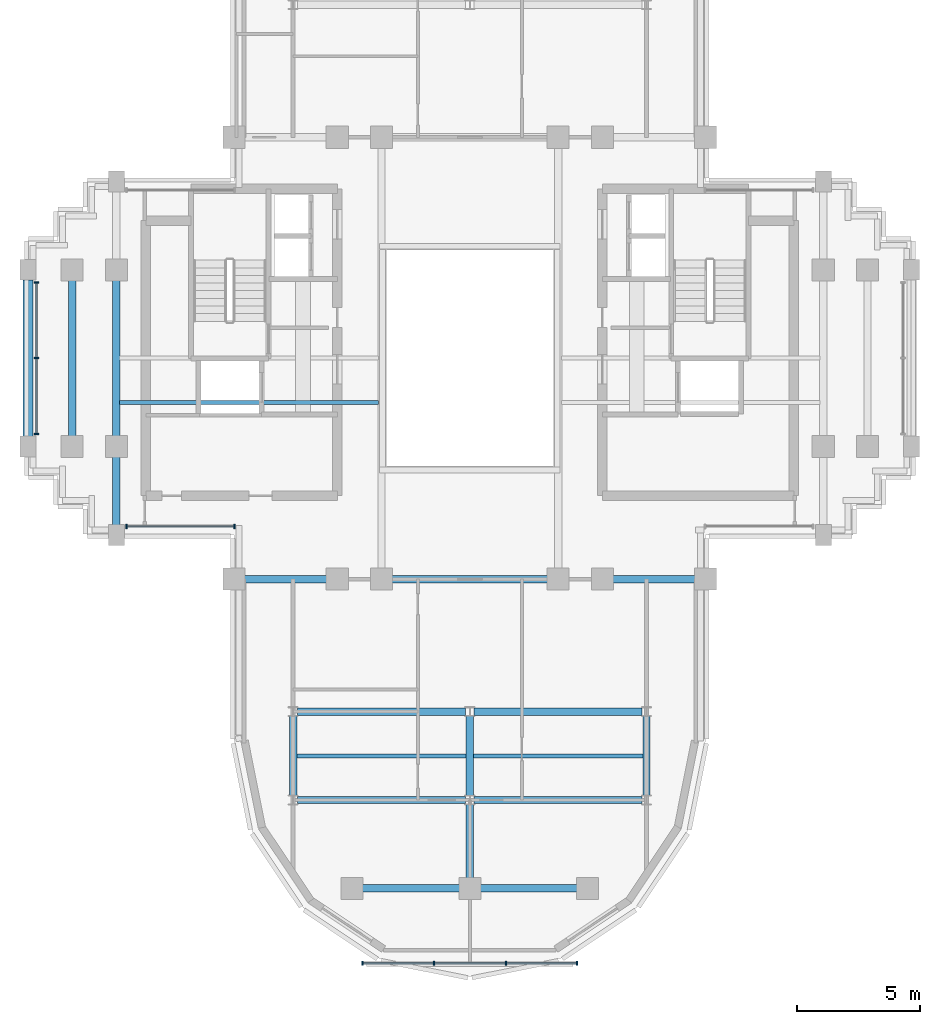
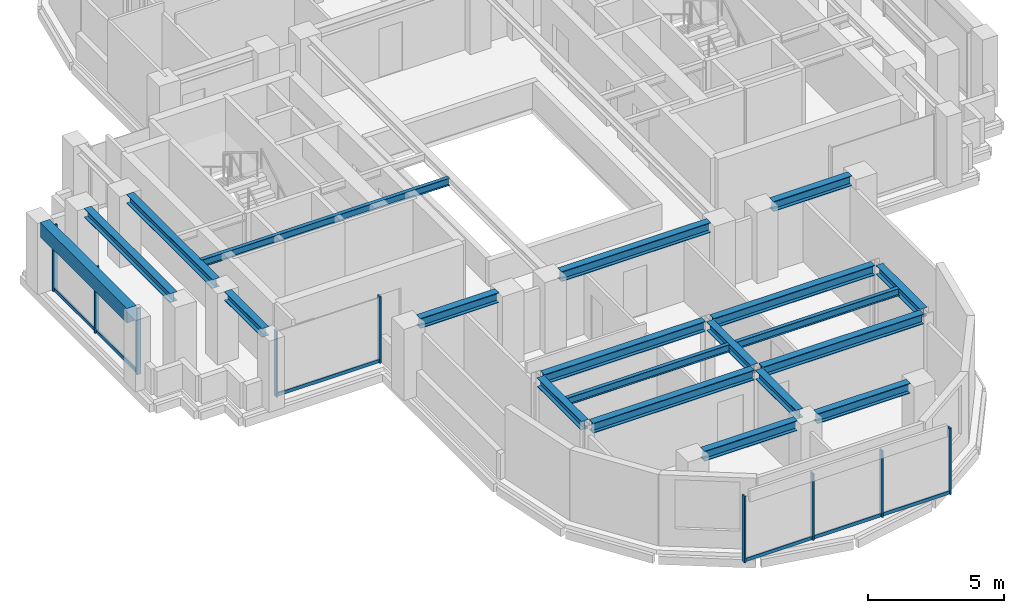
# One storey, part 2 of 11: 20 beams, 15 members, 3 elements without a shape of their own.
"""IFC4 building model written with IfcOpenShell, lengths in metres."""

from ifc_helpers import new_model, si_unit, direction, frame, origin, origin_2d, place, context, subcontext, project, spatial, rectangle, i_section, extrude, source, transform, mapped, material, material_profile, profile_set, type_object, element, aggregate, save


model = new_model("IFC4")

# Units and contexts
model_context = context("Model", 3, precision=1e-05, world=origin(), true_north=direction((0.0, 1.0)))
body_context = subcontext(model_context, "Body", "Model", "MODEL_VIEW")
ifc_project = project(units=[si_unit("LENGTHUNIT", "METRE"), si_unit("AREAUNIT", "SQUARE_METRE"), si_unit("VOLUMEUNIT", "CUBIC_METRE"), si_unit("PLANEANGLEUNIT", "RADIAN"), si_unit("MASSUNIT", "GRAM", prefix="KILO")], contexts=[model_context])

# Site, building, storey
site_placement = place(None, origin())
site = spatial("IfcSite", under=ifc_project, at=site_placement, CompositionType="ELEMENT")
building_placement = place(site_placement, origin())
building = spatial("IfcBuilding", under=site, at=building_placement, Name="Keilestroom Media Tower", CompositionType="ELEMENT")
storey_placement = place(building_placement, frame((0.0, 0.0, 208.0)))
storey = spatial("IfcBuildingStorey", under=building, at=storey_placement, Name="L57", CompositionType="ELEMENT", Elevation=208.0)

# Beams
ifc_material_1 = material(Name="Steel S355", Category="steel")
ifc_material_profile_1 = material_profile(ifc_material_1, i_section(OverallWidth=0.300048828125, OverallDepth=0.449951171875, WebThickness=0.011962890625, FlangeThickness=0.02587890625, at=origin_2d()), Name="HEB 450")
ifc_profile_set_1 = profile_set([ifc_material_profile_1], Name="Steel S355")
beam_type_1 = type_object("IfcBeamType", Name="Primary-Structural-Girder-HEB-450", PredefinedType="BEAM", material=ifc_profile_set_1)
shared_shape_1 = source(origin(), body_context, "Body", "SweptSolid", [
    extrude(i_section(OverallWidth=0.300048828125, OverallDepth=0.449951171875, WebThickness=0.011962890625, FlangeThickness=0.02587890625, at=origin_2d()), origin(), (0.0, 0.0, 1.0), 3.940185546875),
])
for number, where, z_axis, x_axis, name in (
    (1, (-4.3701171875, -21.60009765625, 2.97509765625), (1.0, 0.0, 0.0), (0.0, 1.0, 0.0), "L57 Beam BG-7 BM-L57-EW-001"),
    (2, (0.429931640625, -21.60009765625, 2.97509765625), (1.0, 0.0, 0.0), (0.0, 1.0, 0.0), "L57 Beam BG-7 BM-L57-EW-002"),
):
    element("IfcBeam", number, at=place(storey_placement, frame(where, z_axis=z_axis, x_axis=x_axis)), inside=storey, type_object=beam_type_1, Name=name, PredefinedType="BEAM", context=body_context, shape_type="MappedRepresentation", body=[
        mapped(shared_shape_1, transform((0.0, 0.0, 0.0), x_axis=(1.0, 0.0, 0.0), y_axis=(0.0, 1.0, 0.0), z_axis=(0.0, 0.0, 1.0), scale=1.0)),
    ])
shared_shape_2 = source(origin(), body_context, "Body", "SweptSolid", [
    extrude(i_section(OverallWidth=0.300048828125, OverallDepth=0.449951171875, WebThickness=0.011962890625, FlangeThickness=0.02587890625, at=origin_2d()), origin(), (0.0, 0.0, 1.0), 6.842041015625),
])
for number, where, z_axis, x_axis, name in (
    (3, (-7.02099609375, -18.0, 2.97509765625), (1.0, 0.0, 0.0), (0.0, 1.0, 0.0), "L57 Beam BG-7 BM-L57-EW-003"),
    (4, (0.178955078125, -18.0, 2.97509765625), (1.0, 0.0, 0.0), (0.0, 1.0, 0.0), "L57 Beam BG-7 BM-L57-EW-004"),
    (5, (-7.02099609375, -14.39990234375, 2.97509765625), (1.0, 0.0, 0.0), (0.0, 1.0, 0.0), "L57 Beam BG-7 BM-L57-EW-005"),
    (6, (0.178955078125, -14.39990234375, 2.97509765625), (1.0, 0.0, 0.0), (0.0, 1.0, 0.0), "L57 Beam BG-7 BM-L57-EW-006"),
):
    element("IfcBeam", number, at=place(storey_placement, frame(where, z_axis=z_axis, x_axis=x_axis)), inside=storey, type_object=beam_type_1, Name=name, PredefinedType="BEAM", context=body_context, shape_type="MappedRepresentation", body=[
        mapped(shared_shape_2, transform((0.0, 0.0, 0.0), x_axis=(1.0, 0.0, 0.0), y_axis=(0.0, 1.0, 0.0), z_axis=(0.0, 0.0, 1.0), scale=1.0)),
    ])
shared_shape_3 = source(origin(), body_context, "Body", "SweptSolid", [
    extrude(i_section(OverallWidth=0.300048828125, OverallDepth=0.449951171875, WebThickness=0.011962890625, FlangeThickness=0.02587890625, at=origin_2d()), origin(), (0.0, 0.0, 1.0), 3.33984375),
])
for number, where, z_axis, x_axis, name in (
    (7, (-9.169921875, -9.0, 2.97509765625), (1.0, 0.0, 0.0), (0.0, 1.0, 0.0), "L57 Beam BG-7 BM-L57-EW-007"),
    (8, (5.830078125, -9.0, 2.97509765625), (1.0, 0.0, 0.0), (0.0, 1.0, 0.0), "L57 Beam BG-7 BM-L57-EW-011"),
):
    element("IfcBeam", number, at=place(storey_placement, frame(where, z_axis=z_axis, x_axis=x_axis)), inside=storey, type_object=beam_type_1, Name=name, PredefinedType="BEAM", context=body_context, shape_type="MappedRepresentation", body=[
        mapped(shared_shape_3, transform((0.0, 0.0, 0.0), x_axis=(1.0, 0.0, 0.0), y_axis=(0.0, 1.0, 0.0), z_axis=(0.0, 0.0, 1.0), scale=1.0)),
    ])
shared_shape_4 = source(origin(), body_context, "Body", "SweptSolid", [
    extrude(i_section(OverallWidth=0.300048828125, OverallDepth=0.449951171875, WebThickness=0.011962890625, FlangeThickness=0.02587890625, at=origin_2d()), origin(), (0.0, 0.0, 1.0), 6.33984375),
])
beam_1_placement = place(storey_placement, frame((-3.169921875, -9.0, 2.97509765625), z_axis=(1.0, 0.0, 0.0), x_axis=(0.0, 1.0, 0.0)))
element("IfcBeam", 9, at=beam_1_placement, inside=storey, type_object=beam_type_1, Name="L57 Beam BG-7 BM-L57-EW-009", PredefinedType="BEAM", context=body_context, shape_type="MappedRepresentation", body=[
    mapped(shared_shape_4, transform((0.0, 0.0, 0.0), x_axis=(1.0, 0.0, 0.0), y_axis=(0.0, 1.0, 0.0), z_axis=(0.0, 0.0, 1.0), scale=1.0)),
])
ifc_material_2 = material(Name="Precast concrete C40/50", Category="concrete")
ifc_material_profile_2 = material_profile(ifc_material_2, rectangle(XDim=0.39990234375, YDim=0.64990234375, at=origin_2d()), Name="PC 400x650")
ifc_profile_set_2 = profile_set([ifc_material_profile_2], Name="Precast concrete C40/50")
beam_type_2 = type_object("IfcBeamType", Name="Perimeter-Spandrel-Beam-PC-400x650", PredefinedType="SPANDREL", material=ifc_profile_set_2)
shared_shape_5 = source(origin(), body_context, "Body", "SweptSolid", [
    extrude(rectangle(XDim=0.39990234375, YDim=0.64990234375, at=origin_2d()), origin(), (0.0, 0.0, 1.0), 6.39013671875),
])
beam_2_placement = place(storey_placement, frame((-18.0, -3.195068359375, 2.875), z_axis=(0.0, 1.0, 0.0), x_axis=(-1.0, 0.0, 0.0)))
element("IfcBeam", 10, at=beam_2_placement, inside=storey, type_object=beam_type_2, Name="L57 Beam SPB-2 BM-L57-NS-031", PredefinedType="SPANDREL", context=body_context, shape_type="MappedRepresentation", body=[
    mapped(shared_shape_5, transform((0.0, 0.0, 0.0), x_axis=(1.0, 0.0, 0.0), y_axis=(0.0, 1.0, 0.0), z_axis=(0.0, 0.0, 1.0), scale=1.0)),
])
ifc_material_profile_3 = material_profile(ifc_material_1, i_section(OverallWidth=0.300048828125, OverallDepth=0.39990234375, WebThickness=0.011474609375, FlangeThickness=0.02392578125, at=origin_2d()), Name="HEB 400")
ifc_profile_set_3 = profile_set([ifc_material_profile_3], Name="Steel S355")
beam_type_3 = type_object("IfcBeamType", Name="Primary-Structural-Girder-HEB-400", PredefinedType="BEAM", material=ifc_profile_set_3)
shared_shape_6 = source(origin(), body_context, "Body", "SweptSolid", [
    extrude(i_section(OverallWidth=0.300048828125, OverallDepth=0.39990234375, WebThickness=0.011474609375, FlangeThickness=0.02392578125, at=origin_2d()), origin(), (0.0, 0.0, 1.0), 6.33984375),
])
for number, where, z_axis, x_axis, name in (
    (11, (-16.199951171875, -3.169921875, 3.0), (0.0, 1.0, 0.0), (-1.0, 0.0, 0.0), "L57 Beam BG-8 BM-L57-NS-032"),
    (12, (-14.39990234375, -3.169921875, 3.0), (0.0, 1.0, 0.0), (-1.0, 0.0, 0.0), "L57 Beam BG-8 BM-L57-NS-034"),
):
    element("IfcBeam", number, at=place(storey_placement, frame(where, z_axis=z_axis, x_axis=x_axis)), inside=storey, type_object=beam_type_3, Name=name, PredefinedType="BEAM", context=body_context, shape_type="MappedRepresentation", body=[
        mapped(shared_shape_6, transform((0.0, 0.0, 0.0), x_axis=(1.0, 0.0, 0.0), y_axis=(0.0, 1.0, 0.0), z_axis=(0.0, 0.0, 1.0), scale=1.0)),
    ])
shared_shape_7 = source(origin(), body_context, "Body", "SweptSolid", [
    extrude(i_section(OverallWidth=0.300048828125, OverallDepth=0.39990234375, WebThickness=0.011474609375, FlangeThickness=0.02392578125, at=origin_2d()), origin(), (0.0, 0.0, 1.0), 2.764892578125),
])
beam_3_placement = place(storey_placement, frame((-14.39990234375, -6.794921875, 3.0), z_axis=(0.0, 1.0, 0.0), x_axis=(-1.0, 0.0, 0.0)))
element("IfcBeam", 13, at=beam_3_placement, inside=storey, type_object=beam_type_3, Name="L57 Beam BG-8 BM-L57-NS-033", PredefinedType="BEAM", context=body_context, shape_type="MappedRepresentation", body=[
    mapped(shared_shape_7, transform((0.0, 0.0, 0.0), x_axis=(1.0, 0.0, 0.0), y_axis=(0.0, 1.0, 0.0), z_axis=(0.0, 0.0, 1.0), scale=1.0)),
])
shared_shape_8 = source(origin(), body_context, "Body", "SweptSolid", [
    extrude(i_section(OverallWidth=0.300048828125, OverallDepth=0.39990234375, WebThickness=0.011474609375, FlangeThickness=0.02392578125, at=origin_2d()), origin(), (0.0, 0.0, 1.0), 3.2529296875),
])
for number, where, z_axis, x_axis, name in (
    (14, (-7.199951171875, -17.826416015625, 3.0), (0.0, 1.0, 0.0), (-1.0, 0.0, 0.0), "L57 Beam BG-8 BM-L57-NS-037"),
    (15, (0.0, -17.826416015625, 3.0), (0.0, 1.0, 0.0), (-1.0, 0.0, 0.0), "L57 Beam BG-8 BM-L57-NS-042"),
    (16, (7.199951171875, -17.826416015625, 3.0), (0.0, 1.0, 0.0), (-1.0, 0.0, 0.0), "L57 Beam BG-8 BM-L57-NS-047"),
):
    element("IfcBeam", number, at=place(storey_placement, frame(where, z_axis=z_axis, x_axis=x_axis)), inside=storey, type_object=beam_type_3, Name=name, PredefinedType="BEAM", context=body_context, shape_type="MappedRepresentation", body=[
        mapped(shared_shape_8, transform((0.0, 0.0, 0.0), x_axis=(1.0, 0.0, 0.0), y_axis=(0.0, 1.0, 0.0), z_axis=(0.0, 0.0, 1.0), scale=1.0)),
    ])
shared_shape_9 = source(origin(), body_context, "Body", "SweptSolid", [
    extrude(i_section(OverallWidth=0.300048828125, OverallDepth=0.39990234375, WebThickness=0.011474609375, FlangeThickness=0.02392578125, at=origin_2d()), origin(), (0.0, 0.0, 1.0), 2.996337890625),
])
beam_4_placement = place(storey_placement, frame((0.0, -21.169921875, 3.0), z_axis=(0.0, 1.0, 0.0), x_axis=(-1.0, 0.0, 0.0)))
element("IfcBeam", 17, at=beam_4_placement, inside=storey, type_object=beam_type_3, Name="L57 Beam BG-8 BM-L57-NS-041", PredefinedType="BEAM", context=body_context, shape_type="MappedRepresentation", body=[
    mapped(shared_shape_9, transform((0.0, 0.0, 0.0), x_axis=(1.0, 0.0, 0.0), y_axis=(0.0, 1.0, 0.0), z_axis=(0.0, 0.0, 1.0), scale=1.0)),
])
ifc_material_profile_4 = material_profile(ifc_material_1, i_section(OverallWidth=0.159912109375, OverallDepth=0.330078125, WebThickness=0.007568359375, FlangeThickness=0.011474609375, at=origin_2d()), Name="IPE 330")
ifc_profile_set_4 = profile_set([ifc_material_profile_4], Name="Steel S355")
beam_type_4 = type_object("IfcBeamType", Name="Secondary-Floor-Joist-IPE-330", PredefinedType="JOIST", material=ifc_profile_set_4)
shared_shape_10 = source(origin(), body_context, "Body", "SweptSolid", [
    extrude(i_section(OverallWidth=0.159912109375, OverallDepth=0.330078125, WebThickness=0.007568359375, FlangeThickness=0.011474609375, at=origin_2d()), origin(), (0.0, 0.0, 1.0), 6.940185546875),
])
for number, where, z_axis, x_axis, name in (
    (18, (-7.070068359375, -16.199951171875, 3.034912109375), (1.0, 0.0, 0.0), (0.0, 1.0, 0.0), "L57 Beam BJ-6 JST-L57-055"),
    (19, (0.1298828125, -16.199951171875, 3.034912109375), (1.0, 0.0, 0.0), (0.0, 1.0, 0.0), "L57 Beam BJ-6 JST-L57-056"),
):
    element("IfcBeam", number, at=place(storey_placement, frame(where, z_axis=z_axis, x_axis=x_axis)), inside=storey, type_object=beam_type_4, Name=name, PredefinedType="JOIST", context=body_context, shape_type="MappedRepresentation", body=[
        mapped(shared_shape_10, transform((0.0, 0.0, 0.0), x_axis=(1.0, 0.0, 0.0), y_axis=(0.0, 1.0, 0.0), z_axis=(0.0, 0.0, 1.0), scale=1.0)),
    ])
shared_shape_11 = source(origin(), body_context, "Body", "SweptSolid", [
    extrude(i_section(OverallWidth=0.159912109375, OverallDepth=0.330078125, WebThickness=0.007568359375, FlangeThickness=0.011474609375, at=origin_2d()), origin(), (0.0, 0.0, 1.0), 10.5400390625),
])
beam_5_placement = place(storey_placement, frame((-14.27001953125, -1.800048828125, 3.034912109375), z_axis=(1.0, 0.0, 0.0), x_axis=(0.0, 1.0, 0.0)))
element("IfcBeam", 20, at=beam_5_placement, inside=storey, type_object=beam_type_4, Name="L57 Beam BJ-6 JST-L57-057", PredefinedType="JOIST", context=body_context, shape_type="MappedRepresentation", body=[
    mapped(shared_shape_11, transform((0.0, 0.0, 0.0), x_axis=(1.0, 0.0, 0.0), y_axis=(0.0, 1.0, 0.0), z_axis=(0.0, 0.0, 1.0), scale=1.0)),
])

# Curtain wall, members
ifc_material_3 = material(Name="Anodised Aluminium Alloy", Category="aluminium")
curtain_wall_type_1 = type_object("IfcCurtainWallType", Name="Unitised-Curtain-Wall-CW-6", PredefinedType="NOTDEFINED", material=ifc_material_3)
curtain_wall_1_placement = place(storey_placement, origin())
curtain_wall_1 = element("IfcCurtainWall", 21, at=curtain_wall_1_placement, inside=storey, type_object=curtain_wall_type_1, Name="L57 Curtain Wall CW-6 CW-L57-LS-1", PredefinedType="NOTDEFINED")
ifc_material_profile_5 = material_profile(ifc_material_3, rectangle(XDim=0.06494140625, YDim=0.179931640625, at=origin_2d()), Name="ALU MULLION 65x180")
ifc_profile_set_5 = profile_set([ifc_material_profile_5], Name="Anodised Aluminium Alloy")
member_type_1 = type_object("IfcMemberType", Name="Curtain-Wall-Mullion-CW-6", PredefinedType="MULLION", material=ifc_profile_set_5)
shared_shape_12 = source(origin(), body_context, "Body", "SweptSolid", [
    extrude(rectangle(XDim=0.06494140625, YDim=0.179931640625, at=origin_2d()), origin(), (0.0, 0.0, 1.0), 2.97998046875),
])
member_1_placement = place(storey_placement, frame((-4.367431640625, -24.64990234375, 0.0), z_axis=(0.0, 0.0, 1.0), x_axis=(1.0, 0.0, 0.0)))
member_1 = element("IfcMember", 22, at=member_1_placement, type_object=member_type_1, Name="CW-6 Mullion 00", PredefinedType="MULLION", context=body_context, shape_type="MappedRepresentation", body=[
    mapped(shared_shape_12, transform((0.0, 0.0, 0.0), x_axis=(1.0, 0.0, 0.0), y_axis=(0.0, 1.0, 0.0), z_axis=(0.0, 0.0, 1.0), scale=1.0)),
])
member_2_placement = place(storey_placement, frame((-1.466796875, -24.64990234375, 0.0), z_axis=(0.0, 0.0, 1.0), x_axis=(1.0, 0.0, 0.0)))
member_2 = element("IfcMember", 23, at=member_2_placement, type_object=member_type_1, Name="CW-6 Mullion 01", PredefinedType="MULLION", context=body_context, shape_type="MappedRepresentation", body=[
    mapped(shared_shape_12, transform((0.0, 0.0, 0.0), x_axis=(1.0, 0.0, 0.0), y_axis=(0.0, 1.0, 0.0), z_axis=(0.0, 0.0, 1.0), scale=1.0)),
])
member_3_placement = place(storey_placement, frame((1.466796875, -24.64990234375, 0.0), z_axis=(0.0, 0.0, 1.0), x_axis=(1.0, 0.0, 0.0)))
member_3 = element("IfcMember", 24, at=member_3_placement, type_object=member_type_1, Name="CW-6 Mullion 02", PredefinedType="MULLION", context=body_context, shape_type="MappedRepresentation", body=[
    mapped(shared_shape_12, transform((0.0, 0.0, 0.0), x_axis=(1.0, 0.0, 0.0), y_axis=(0.0, 1.0, 0.0), z_axis=(0.0, 0.0, 1.0), scale=1.0)),
])
member_4_placement = place(storey_placement, frame((4.367431640625, -24.64990234375, 0.0), z_axis=(0.0, 0.0, 1.0), x_axis=(1.0, 0.0, 0.0)))
member_4 = element("IfcMember", 25, at=member_4_placement, type_object=member_type_1, Name="CW-6 Mullion 03", PredefinedType="MULLION", context=body_context, shape_type="MappedRepresentation", body=[
    mapped(shared_shape_12, transform((0.0, 0.0, 0.0), x_axis=(1.0, 0.0, 0.0), y_axis=(0.0, 1.0, 0.0), z_axis=(0.0, 0.0, 1.0), scale=1.0)),
])
ifc_material_profile_6 = material_profile(ifc_material_3, rectangle(XDim=0.06494140625, YDim=0.14990234375, at=origin_2d()), Name="ALU TRANSOM 65x150")
ifc_profile_set_6 = profile_set([ifc_material_profile_6], Name="Anodised Aluminium Alloy")
member_type_2 = type_object("IfcMemberType", Name="Curtain-Wall-Transom-CW-6", PredefinedType="USERDEFINED", material=ifc_profile_set_6)
shared_shape_13 = source(origin(), body_context, "Body", "SweptSolid", [
    extrude(rectangle(XDim=0.06494140625, YDim=0.14990234375, at=origin_2d()), origin(), (0.0, 0.0, 1.0), 2.839599609375),
])
member_5_placement = place(storey_placement, frame((-4.3369140625, -24.64990234375, 0.074951171875), z_axis=(1.0, 0.0, 0.0), x_axis=(0.0, 1.0, 0.0)))
member_5 = element("IfcMember", 26, at=member_5_placement, type_object=member_type_2, Name="CW-6 Transom 00.1", ObjectType="TRANSOM", PredefinedType="USERDEFINED", context=body_context, shape_type="MappedRepresentation", body=[
    mapped(shared_shape_13, transform((0.0, 0.0, 0.0), x_axis=(1.0, 0.0, 0.0), y_axis=(0.0, 1.0, 0.0), z_axis=(0.0, 0.0, 1.0), scale=1.0)),
])
member_6_placement = place(storey_placement, frame((1.497314453125, -24.64990234375, 0.074951171875), z_axis=(1.0, 0.0, 0.0), x_axis=(0.0, 1.0, 0.0)))
member_6 = element("IfcMember", 27, at=member_6_placement, type_object=member_type_2, Name="CW-6 Transom 02.1", ObjectType="TRANSOM", PredefinedType="USERDEFINED", context=body_context, shape_type="MappedRepresentation", body=[
    mapped(shared_shape_13, transform((0.0, 0.0, 0.0), x_axis=(1.0, 0.0, 0.0), y_axis=(0.0, 1.0, 0.0), z_axis=(0.0, 0.0, 1.0), scale=1.0)),
])
shared_shape_14 = source(origin(), body_context, "Body", "SweptSolid", [
    extrude(rectangle(XDim=0.06494140625, YDim=0.14990234375, at=origin_2d()), origin(), (0.0, 0.0, 1.0), 2.87255859375),
])
member_7_placement = place(storey_placement, frame((-1.436279296875, -24.64990234375, 0.074951171875), z_axis=(1.0, 0.0, 0.0), x_axis=(0.0, 1.0, 0.0)))
member_7 = element("IfcMember", 28, at=member_7_placement, type_object=member_type_2, Name="CW-6 Transom 01.1", ObjectType="TRANSOM", PredefinedType="USERDEFINED", context=body_context, shape_type="MappedRepresentation", body=[
    mapped(shared_shape_14, transform((0.0, 0.0, 0.0), x_axis=(1.0, 0.0, 0.0), y_axis=(0.0, 1.0, 0.0), z_axis=(0.0, 0.0, 1.0), scale=1.0)),
])
aggregate(curtain_wall_1, [member_1, member_2, member_3, member_4, member_5, member_7, member_6])

curtain_wall_type_2 = type_object("IfcCurtainWallType", Name="Unitised-Curtain-Wall-CW-3", PredefinedType="NOTDEFINED", material=ifc_material_3)
curtain_wall_2_placement = place(storey_placement, origin())
curtain_wall_2 = element("IfcCurtainWall", 29, at=curtain_wall_2_placement, inside=storey, type_object=curtain_wall_type_2, Name="L57 Curtain Wall CW-3 CW-L57-W-1", PredefinedType="NOTDEFINED")
ifc_material_profile_7 = material_profile(ifc_material_3, rectangle(XDim=0.06494140625, YDim=0.179931640625, at=origin_2d()), Name="ALU MULLION 65x180")
ifc_profile_set_7 = profile_set([ifc_material_profile_7], Name="Anodised Aluminium Alloy")
member_type_3 = type_object("IfcMemberType", Name="Curtain-Wall-Mullion-CW-3", PredefinedType="MULLION", material=ifc_profile_set_7)
shared_shape_15 = source(origin(), body_context, "Body", "SweptSolid", [
    extrude(rectangle(XDim=0.06494140625, YDim=0.179931640625, at=origin_2d()), origin(), (0.0, 0.0, 1.0), 2.97998046875),
])
member_8_placement = place(storey_placement, frame((-17.64990234375, -3.08251953125, 0.0), z_axis=(0.0, 0.0, 1.0), x_axis=(0.0, 1.0, 0.0)))
member_8 = element("IfcMember", 30, at=member_8_placement, type_object=member_type_3, Name="CW-3 Mullion 00", PredefinedType="MULLION", context=body_context, shape_type="MappedRepresentation", body=[
    mapped(shared_shape_15, transform((0.0, 0.0, 0.0), x_axis=(1.0, 0.0, 0.0), y_axis=(0.0, 1.0, 0.0), z_axis=(0.0, 0.0, 1.0), scale=1.0)),
])
member_9_placement = place(storey_placement, frame((-17.64990234375, 0.0, 0.0), z_axis=(0.0, 0.0, 1.0), x_axis=(0.0, 1.0, 0.0)))
member_9 = element("IfcMember", 31, at=member_9_placement, type_object=member_type_3, Name="CW-3 Mullion 01", PredefinedType="MULLION", context=body_context, shape_type="MappedRepresentation", body=[
    mapped(shared_shape_15, transform((0.0, 0.0, 0.0), x_axis=(1.0, 0.0, 0.0), y_axis=(0.0, 1.0, 0.0), z_axis=(0.0, 0.0, 1.0), scale=1.0)),
])
member_10_placement = place(storey_placement, frame((-17.64990234375, 3.08251953125, 0.0), z_axis=(0.0, 0.0, 1.0), x_axis=(0.0, 1.0, 0.0)))
member_10 = element("IfcMember", 32, at=member_10_placement, type_object=member_type_3, Name="CW-3 Mullion 02", PredefinedType="MULLION", context=body_context, shape_type="MappedRepresentation", body=[
    mapped(shared_shape_15, transform((0.0, 0.0, 0.0), x_axis=(1.0, 0.0, 0.0), y_axis=(0.0, 1.0, 0.0), z_axis=(0.0, 0.0, 1.0), scale=1.0)),
])

curtain_wall_3_placement = place(storey_placement, origin())
curtain_wall_3 = element("IfcCurtainWall", 33, at=curtain_wall_3_placement, inside=storey, type_object=curtain_wall_type_2, Name="L57 Curtain Wall CW-3 CW-L57-SW-1", PredefinedType="NOTDEFINED")
member_11_placement = place(storey_placement, frame((-13.982421875, -6.85009765625, 0.0), z_axis=(0.0, 0.0, 1.0), x_axis=(1.0, 0.0, 0.0)))
member_11 = element("IfcMember", 34, at=member_11_placement, type_object=member_type_3, Name="CW-3 Mullion 00", PredefinedType="MULLION", context=body_context, shape_type="MappedRepresentation", body=[
    mapped(shared_shape_15, transform((0.0, 0.0, 0.0), x_axis=(1.0, 0.0, 0.0), y_axis=(0.0, 1.0, 0.0), z_axis=(0.0, 0.0, 1.0), scale=1.0)),
])
member_12_placement = place(storey_placement, frame((-9.58251953125, -6.85009765625, 0.0), z_axis=(0.0, 0.0, 1.0), x_axis=(1.0, 0.0, 0.0)))
member_12 = element("IfcMember", 35, at=member_12_placement, type_object=member_type_3, Name="CW-3 Mullion 01", PredefinedType="MULLION", context=body_context, shape_type="MappedRepresentation", body=[
    mapped(shared_shape_15, transform((0.0, 0.0, 0.0), x_axis=(1.0, 0.0, 0.0), y_axis=(0.0, 1.0, 0.0), z_axis=(0.0, 0.0, 1.0), scale=1.0)),
])
ifc_material_profile_8 = material_profile(ifc_material_3, rectangle(XDim=0.06494140625, YDim=0.14990234375, at=origin_2d()), Name="ALU TRANSOM 65x150")
ifc_profile_set_8 = profile_set([ifc_material_profile_8], Name="Anodised Aluminium Alloy")
member_type_4 = type_object("IfcMemberType", Name="Curtain-Wall-Transom-CW-3", PredefinedType="USERDEFINED", material=ifc_profile_set_8)
shared_shape_16 = source(origin(), body_context, "Body", "SweptSolid", [
    extrude(rectangle(XDim=0.06494140625, YDim=0.14990234375, at=origin_2d()), origin(), (0.0, 0.0, 1.0), 4.3388671875),
])
member_13_placement = place(storey_placement, frame((-13.951904296875, -6.85009765625, 0.074951171875), z_axis=(1.0, 0.0, 0.0), x_axis=(0.0, 1.0, 0.0)))
member_13 = element("IfcMember", 36, at=member_13_placement, type_object=member_type_4, Name="CW-3 Transom 00.1", ObjectType="TRANSOM", PredefinedType="USERDEFINED", context=body_context, shape_type="MappedRepresentation", body=[
    mapped(shared_shape_16, transform((0.0, 0.0, 0.0), x_axis=(1.0, 0.0, 0.0), y_axis=(0.0, 1.0, 0.0), z_axis=(0.0, 0.0, 1.0), scale=1.0)),
])
aggregate(curtain_wall_3, [member_11, member_12, member_13])

# Member
shared_shape_17 = source(origin(), body_context, "Body", "SweptSolid", [
    extrude(rectangle(XDim=0.06494140625, YDim=0.14990234375, at=origin_2d()), origin(), (0.0, 0.0, 1.0), 3.021484375),
])
member_14_placement = place(storey_placement, frame((-17.64990234375, -3.052001953125, 0.074951171875), z_axis=(0.0, 1.0, 0.0), x_axis=(-1.0, 0.0, 0.0)))
member_14 = element("IfcMember", 37, at=member_14_placement, type_object=member_type_4, Name="CW-3 Transom 00.1", ObjectType="TRANSOM", PredefinedType="USERDEFINED", context=body_context, shape_type="MappedRepresentation", body=[
    mapped(shared_shape_17, transform((0.0, 0.0, 0.0), x_axis=(1.0, 0.0, 0.0), y_axis=(0.0, 1.0, 0.0), z_axis=(0.0, 0.0, 1.0), scale=1.0)),
])

member_15_placement = place(storey_placement, frame((-17.64990234375, 0.030517578125, 0.074951171875), z_axis=(0.0, 1.0, 0.0), x_axis=(-1.0, 0.0, 0.0)))
member_15 = element("IfcMember", 38, at=member_15_placement, type_object=member_type_4, Name="CW-3 Transom 01.1", ObjectType="TRANSOM", PredefinedType="USERDEFINED", context=body_context, shape_type="MappedRepresentation", body=[
    mapped(shared_shape_17, transform((0.0, 0.0, 0.0), x_axis=(1.0, 0.0, 0.0), y_axis=(0.0, 1.0, 0.0), z_axis=(0.0, 0.0, 1.0), scale=1.0)),
])

aggregate(curtain_wall_2, [member_8, member_9, member_10, member_14, member_15])

save(model, "model.ifc")
